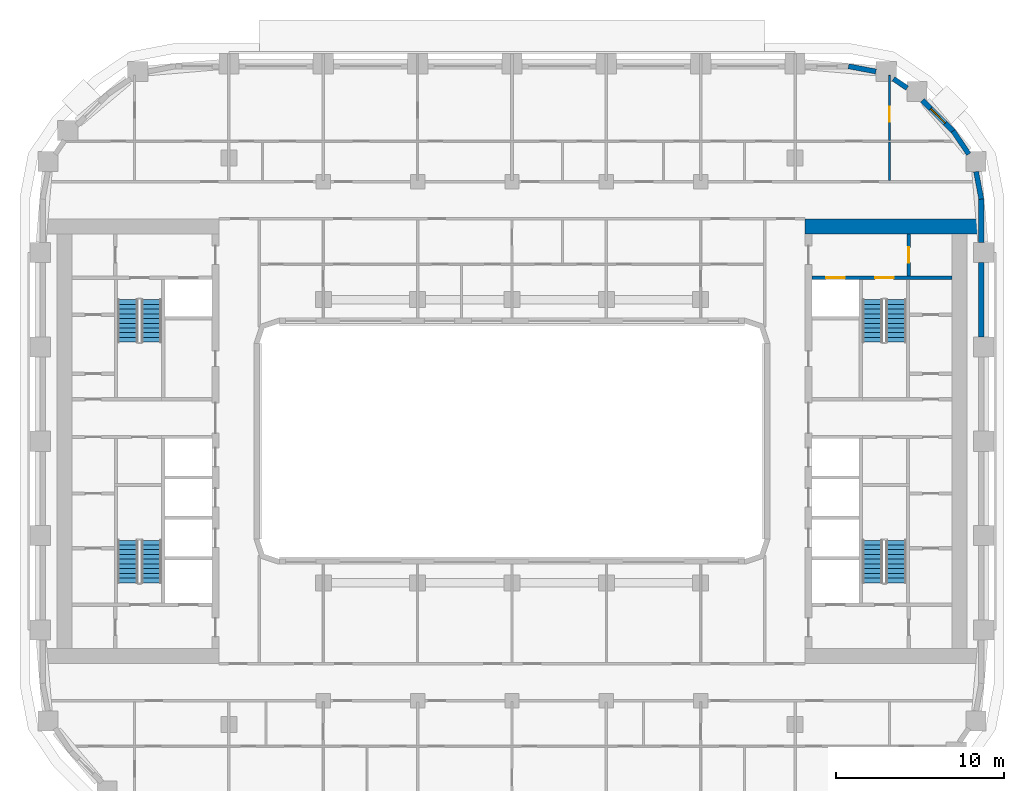
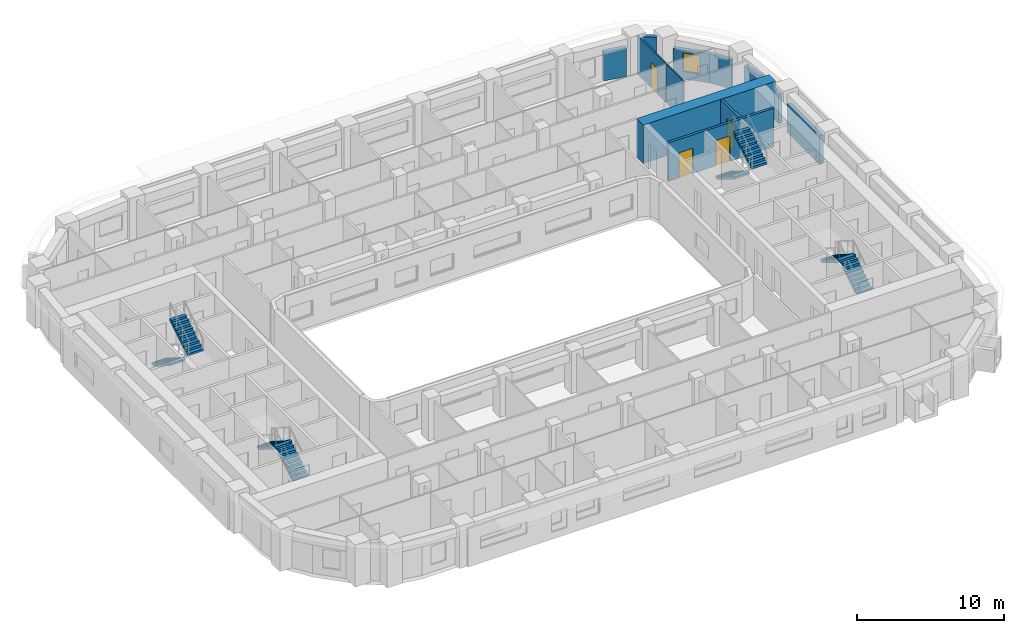
# One storey, part 10 of 22: 12 walls, 8 stair flights, 4 doors, 1 window, 5 openings, 4 elements without a shape of their own.
"""IFC4 building model written with IfcOpenShell, lengths in metres."""

from ifc_helpers import new_model, si_unit, direction, frame, frame_2d, origin, place, context, subcontext, project, spatial, polyline, rectangle, outline, extrude, material, layer, layer_set, type_object, element, fill, aggregate, save


model = new_model("IFC4")

# Units and contexts
model_context = context("Model", 3, precision=1e-05, world=origin(), true_north=direction((0.0, 1.0)))
body_context = subcontext(model_context, "Body", "Model", "MODEL_VIEW")
ifc_project = project(units=[si_unit("LENGTHUNIT", "METRE"), si_unit("AREAUNIT", "SQUARE_METRE"), si_unit("VOLUMEUNIT", "CUBIC_METRE"), si_unit("PLANEANGLEUNIT", "RADIAN"), si_unit("MASSUNIT", "GRAM", prefix="KILO")], contexts=[model_context])

# Site, building, storey
site_placement = place(None, origin())
site = spatial("IfcSite", under=ifc_project, at=site_placement, CompositionType="ELEMENT")
building_placement = place(site_placement, origin())
building = spatial("IfcBuilding", under=site, at=building_placement, Name="Kiln Ring Residences", CompositionType="ELEMENT")
storey_placement = place(building_placement, frame((0.0, 0.0, 111.300048828125)))
storey = spatial("IfcBuildingStorey", under=building, at=storey_placement, Name="L28", CompositionType="ELEMENT", Elevation=111.300048828125)

# Wall, opening, door
ifc_material_1 = material(Name="Gypsum board on steel studs", Category="steel")
ifc_layer_1 = layer(ifc_material_1, 0.199951171875)
ifc_layer_set_1 = layer_set([ifc_layer_1], Name="CORE-PARTITION-200")
wall_type_1 = type_object("IfcWallType", Name="CORE-PARTITION-200", PredefinedType="PARTITIONING", material=ifc_layer_set_1)
wall_1_placement = place(storey_placement, frame((23.550048828125, 9.800048828125, 0.0), z_axis=(0.0, 0.0, 1.0), x_axis=(0.0, 1.0, 0.0)))
wall_1 = element("IfcWall", 1, at=wall_1_placement, inside=storey, type_object=wall_type_1, Name="Core partition east L28 3", PredefinedType="PARTITIONING", context=body_context, shape_type="SweptSolid", body=[
    extrude(rectangle(XDim=2.5, YDim=0.199951171875, at=frame_2d((1.25, 0.0))), origin(), (0.0, 0.0, 1.0), 3.199951171875),
])
opening_1_placement = place(wall_1_placement, frame((0.800048828125, 0.0, 0.0)))
opening_1 = element("IfcOpeningElement", 2, at=opening_1_placement, cuts=wall_1, Name="Opening L28-CE09", PredefinedType="OPENING", context=body_context, shape_type="SweptSolid", body=[
    extrude(rectangle(XDim=0.89990234375, YDim=2.10009765625, at=frame_2d((0.449951171875, 1.050048828125))), frame((0.0, 0.10986328125, 0.0), z_axis=(0.0, -1.0, 0.0), x_axis=(1.0, 0.0, 0.0)), (0.0, 0.0, 1.0), 0.219970703125),
])
ifc_material_2 = material(Name="Steel door leaf", Category="steel")
door_type_1 = type_object("IfcDoorType", Name="CORE-DOOR-ROOM", OperationType="SINGLE_SWING_LEFT", PredefinedType="DOOR", material=ifc_material_2)
door_1_placement = place(opening_1_placement, origin())
door_1 = element("IfcDoor", 3, at=door_1_placement, inside=storey, type_object=door_type_1, Name="Fire riser room L28-CE09", OperationType="SINGLE_SWING_RIGHT", OverallHeight=2.10009765625, OverallWidth=0.89990234375, PredefinedType="DOOR", context=body_context, shape_type="SweptSolid", body=[
    extrude(rectangle(XDim=0.89990234375, YDim=2.10009765625, at=frame_2d((0.449951171875, 1.050048828125))), frame((0.0, 0.02490234375, 0.0), z_axis=(0.0, -1.0, 0.0), x_axis=(1.0, 0.0, 0.0)), (0.0, 0.0, 1.0), 0.050048828125),
])
fill(opening_1, door_1)

# Wall, openings, doors
ifc_material_3 = material(Name="Concrete C40/50", Category="concrete")
ifc_layer_2 = layer(ifc_material_3, 0.199951171875)
ifc_layer_set_2 = layer_set([ifc_layer_2], Name="CORE-WALL-RC200")
wall_type_2 = type_object("IfcWallType", Name="CORE-WALL-RC200", PredefinedType="SHEAR", material=ifc_layer_set_2)
wall_2_placement = place(storey_placement, frame((17.800048828125, 9.699951171875, 0.0), z_axis=(0.0, 0.0, 1.0), x_axis=(1.0, 0.0, 0.0)))
wall_2 = element("IfcWall", 4, at=wall_2_placement, inside=storey, type_object=wall_type_2, Name="Core wall east L28 9", PredefinedType="SHEAR", context=body_context, shape_type="SweptSolid", body=[
    extrude(rectangle(XDim=8.300048828125, YDim=0.199951171875, at=frame_2d((4.14990234375, 0.0))), origin(), (0.0, 0.0, 1.0), 3.199951171875),
])
opening_2_placement = place(wall_2_placement, frame((0.85009765625, 0.0, 0.0)))
opening_2 = element("IfcOpeningElement", 5, at=opening_2_placement, cuts=wall_2, Name="Opening L28-CE06", PredefinedType="OPENING", context=body_context, shape_type="SweptSolid", body=[
    extrude(rectangle(XDim=1.10009765625, YDim=2.10009765625, at=frame_2d((0.550048828125, 1.050048828125))), frame((0.0, 0.10986328125, 0.0), z_axis=(0.0, -1.0, 0.0), x_axis=(1.0, 0.0, 0.0)), (0.0, 0.0, 1.0), 0.219970703125),
])
opening_3_placement = place(wall_2_placement, frame((3.75, 0.0, 0.0)))
opening_3 = element("IfcOpeningElement", 6, at=opening_3_placement, cuts=wall_2, Name="Opening L28-CE11", PredefinedType="OPENING", context=body_context, shape_type="SweptSolid", body=[
    extrude(rectangle(XDim=1.10009765625, YDim=2.10009765625, at=frame_2d((0.550048828125, 1.050048828125))), frame((0.0, 0.10986328125, 0.0), z_axis=(0.0, -1.0, 0.0), x_axis=(1.0, 0.0, 0.0)), (0.0, 0.0, 1.0), 0.219970703125),
])
ifc_material_4 = material(Name="Steel door leaf", Category="steel")
door_type_2 = type_object("IfcDoorType", Name="CORE-DOOR-LD", OperationType="DOUBLE_DOOR_SLIDING", PredefinedType="DOOR", material=ifc_material_4)
door_2_placement = place(opening_2_placement, origin())
door_2 = element("IfcDoor", 7, at=door_2_placement, inside=storey, type_object=door_type_2, Name="LD E-FF L28-CE06", OperationType="DOUBLE_DOOR_SLIDING", OverallHeight=2.10009765625, OverallWidth=1.10009765625, PredefinedType="DOOR", context=body_context, shape_type="SweptSolid", body=[
    extrude(rectangle(XDim=1.10009765625, YDim=2.10009765625, at=frame_2d((0.550048828125, 1.050048828125))), frame((0.0, 0.02490234375, 0.0), z_axis=(0.0, -1.0, 0.0), x_axis=(1.0, 0.0, 0.0)), (0.0, 0.0, 1.0), 0.050048828125),
])
fill(opening_2, door_2)
ifc_material_5 = material(Name="Steel door leaf", Category="steel")
door_type_3 = type_object("IfcDoorType", Name="CORE-DOOR-STAIR", OperationType="SINGLE_SWING_LEFT", PredefinedType="DOOR", material=ifc_material_5)
door_3_placement = place(opening_3_placement, origin())
door_3 = element("IfcDoor", 8, at=door_3_placement, inside=storey, type_object=door_type_3, Name="Stair E-STN L28-CE11", OperationType="SINGLE_SWING_RIGHT", OverallHeight=2.10009765625, OverallWidth=1.10009765625, PredefinedType="DOOR", context=body_context, shape_type="SweptSolid", body=[
    extrude(rectangle(XDim=1.10009765625, YDim=2.10009765625, at=frame_2d((0.550048828125, 1.050048828125))), frame((0.0, 0.02490234375, 0.0), z_axis=(0.0, -1.0, 0.0), x_axis=(1.0, 0.0, 0.0)), (0.0, 0.0, 1.0), 0.050048828125),
])
fill(opening_3, door_3)

# Walls
ifc_material_6 = material(Name="Concrete C60/75", Category="concrete")
ifc_layer_3 = layer(ifc_material_6, 0.89990234375)
ifc_layer_set_3 = layer_set([ifc_layer_3], Name="CORE-WALL-RC900")
wall_type_3 = type_object("IfcWallType", Name="CORE-WALL-RC900", PredefinedType="SHEAR", material=ifc_layer_set_3)
wall_3_placement = place(storey_placement, frame((17.39990234375, 12.75, 0.0), z_axis=(0.0, 0.0, 1.0), x_axis=(1.0, 0.0, 0.0)))
element("IfcWall", 9, at=wall_3_placement, inside=storey, type_object=wall_type_3, Name="Core wall east L28 4", PredefinedType="SHEAR", context=body_context, shape_type="SweptSolid", body=[
    extrude(rectangle(XDim=10.400146484375, YDim=0.89990234375, at=frame_2d((5.2001953125, 0.0))), origin(), (0.0, 0.0, 1.0), 3.199951171875),
])
ifc_material_7 = material(Name="Brick masonry, dark clay brick", Category="masonry")
ifc_layer_4 = layer(ifc_material_7, 0.300048828125)
ifc_layer_set_4 = layer_set([ifc_layer_4], Name="EW-300 BRICK WALL")
wall_type_4 = type_object("IfcWallType", Name="EW-300 BRICK WALL", PredefinedType="SOLIDWALL", material=ifc_layer_set_4)
wall_4_placement = place(storey_placement, frame((27.85009765625, 6.199951171875, 0.0), z_axis=(0.0, 0.0, 1.0), x_axis=(0.0, 1.0, 0.0)))
element("IfcWall", 10, at=wall_4_placement, inside=storey, type_object=wall_type_4, Name="Facade wall L28 21", PredefinedType="SOLIDWALL", context=body_context, shape_type="SweptSolid", body=[
    extrude(rectangle(XDim=4.400146484375, YDim=0.300048828125, at=frame_2d((2.2001953125, 0.0))), origin(), (0.0, 0.0, 1.0), 2.39990234375),
])
wall_5_placement = place(storey_placement, frame((27.85009765625, 11.800048828125, 0.0), z_axis=(0.0, 0.0, 1.0), x_axis=(0.0, 1.0, 0.0)))
element("IfcWall", 11, at=wall_5_placement, inside=storey, type_object=wall_type_4, Name="Facade wall L28 22", PredefinedType="SOLIDWALL", context=body_context, shape_type="SweptSolid", body=[
    extrude(rectangle(XDim=2.599853515625, YDim=0.300048828125, at=frame_2d((1.2998046875, 0.0))), origin(), (0.0, 0.0, 1.0), 2.39990234375),
])
for number, where, z_axis, x_axis, name in (
    (12, (27.8525390625, 14.371826171875, 0.0), (0.0, 0.0, 1.0), (-0.187349172861, 0.982293381546, 0.0), "Facade wall L28 23"),
    (13, (27.10986328125, 17.04296875, 0.0), (0.0, 0.0, 1.0), (-0.562060017944, 0.82709644917, 0.0), "Facade wall L28 24"),
):
    element("IfcWall", number, at=place(storey_placement, frame(where, z_axis=z_axis, x_axis=x_axis)), inside=storey, type_object=wall_type_4, Name=name, PredefinedType="SOLIDWALL", context=body_context, shape_type="SweptSolid", body=[
        extrude(rectangle(XDim=1.65625, YDim=0.300048828125, at=frame_2d((0.828125, 0.0))), origin(), (0.0, 0.0, 1.0), 2.39990234375),
    ])

# Wall, opening, window
wall_6_placement = place(storey_placement, frame((26.19677734375, 18.390869140625, 0.0), z_axis=(0.0, 0.0, 1.0), x_axis=(-0.707059830104, 0.707153729152, 0.0)))
wall_6 = element("IfcWall", 14, at=wall_6_placement, inside=storey, type_object=wall_type_4, Name="Facade wall L28 25", PredefinedType="SOLIDWALL", context=body_context, shape_type="SweptSolid", body=[
    extrude(rectangle(XDim=2.60009765625, YDim=0.300048828125, at=frame_2d((1.300048828125, 0.0))), origin(), (0.0, 0.0, 1.0), 2.39990234375),
])
opening_4_placement = place(wall_6_placement, frame((0.699951171875, 0.0, 0.60009765625)))
opening_4 = element("IfcOpeningElement", 15, at=opening_4_placement, cuts=wall_6, Name="Opening W1", PredefinedType="OPENING", context=body_context, shape_type="SweptSolid", body=[
    extrude(rectangle(XDim=1.199951171875, YDim=1.550048828125, at=frame_2d((0.60009765625, 0.77490234375))), frame((0.0, 0.159912109375, 0.0), z_axis=(0.0, -1.0, 0.0), x_axis=(1.0, 0.0, 0.0)), (0.0, 0.0, 1.0), 0.320068359375),
])
ifc_material_8 = material(Name="Aluminium frame with double glazing", Category="aluminium")
window_type = type_object("IfcWindowType", Name="WINDOW 1200 x 1550", PartitioningType="SINGLE_PANEL", PredefinedType="WINDOW", material=ifc_material_8)
window_placement = place(opening_4_placement, origin())
window = element("IfcWindow", 16, at=window_placement, inside=storey, type_object=window_type, Name="Window L28 13", OverallHeight=1.550048828125, OverallWidth=1.199951171875, PartitioningType="SINGLE_PANEL", PredefinedType="WINDOW", context=body_context, shape_type="SweptSolid", body=[
    extrude(rectangle(XDim=1.199951171875, YDim=1.550048828125, at=frame_2d((0.60009765625, 0.77490234375))), frame((0.0, 0.030029296875, 0.0), z_axis=(0.0, -1.0, 0.0), x_axis=(1.0, 0.0, 0.0)), (0.0, 0.0, 1.0), 0.06005859375),
])
fill(opening_4, window)

# Walls
wall_7_placement = place(storey_placement, frame((23.451171875, 20.96044921875, 0.0), z_axis=(0.0, 0.0, 1.0), x_axis=(-0.827019434577, 0.562173331661, 0.0)))
element("IfcWall", 17, at=wall_7_placement, inside=storey, type_object=wall_type_4, Name="Facade wall L28 26", PredefinedType="SOLIDWALL", context=body_context, shape_type="SweptSolid", body=[
    extrude(rectangle(XDim=0.97705078125, YDim=0.300048828125, at=frame_2d((0.488525390625, 0.0))), origin(), (0.0, 0.0, 1.0), 3.199951171875),
])
wall_8_placement = place(storey_placement, frame((21.5986328125, 21.9423828125, 0.0), z_axis=(0.0, 0.0, 1.0), x_axis=(-0.98228820662, 0.187376303559, 0.0)))
element("IfcWall", 18, at=wall_8_placement, inside=storey, type_object=wall_type_4, Name="Facade wall L28 27", PredefinedType="SOLIDWALL", context=body_context, shape_type="SweptSolid", body=[
    extrude(rectangle(XDim=1.656005859375, YDim=0.300048828125, at=frame_2d((0.828125, 0.0))), origin(), (0.0, 0.0, 1.0), 2.39990234375),
])
ifc_material_9 = material(Name="Gypsum board on steel studs", Category="steel")
ifc_layer_5 = layer(ifc_material_9, 0.10009765625)
ifc_layer_set_5 = layer_set([ifc_layer_5], Name="PARTITION-100")
wall_type_5 = type_object("IfcWallType", Name="PARTITION-100", PredefinedType="PARTITIONING", material=ifc_layer_set_5)
wall_9_placement = place(storey_placement, frame((22.39990234375, 15.47509765625, 0.0), z_axis=(0.0, 0.0, 1.0), x_axis=(0.0, 1.0, 0.0)))
element("IfcWall", 19, at=wall_9_placement, inside=storey, type_object=wall_type_5, Name="Partition 070", PredefinedType="PARTITIONING", context=body_context, shape_type="SweptSolid", body=[
    extrude(rectangle(XDim=2.27490234375, YDim=0.10009765625, at=frame_2d((1.137451171875, 0.0))), origin(), (0.0, 0.0, 1.0), 3.199951171875),
])

# Wall, opening, door
wall_10_placement = place(storey_placement, frame((22.39990234375, 17.85009765625, 0.0), z_axis=(0.0, 0.0, 1.0), x_axis=(0.0, 1.0, 0.0)))
wall_10 = element("IfcWall", 20, at=wall_10_placement, inside=storey, type_object=wall_type_5, Name="Partition 071", PredefinedType="PARTITIONING", context=body_context, shape_type="SweptSolid", body=[
    extrude(rectangle(XDim=3.869873046875, YDim=0.10009765625, at=frame_2d((1.93505859375, 0.0))), origin(), (0.0, 0.0, 1.0), 3.199951171875),
])
opening_5_placement = place(wall_10_placement, frame((1.10009765625, 0.0, 0.0)))
opening_5 = element("IfcOpeningElement", 21, at=opening_5_placement, cuts=wall_10, Name="Opening L28-D042", PredefinedType="OPENING", context=body_context, shape_type="SweptSolid", body=[
    extrude(rectangle(XDim=0.89990234375, YDim=2.10009765625, at=frame_2d((0.449951171875, 1.050048828125))), frame((0.0, 0.06005859375, 0.0), z_axis=(0.0, -1.0, 0.0), x_axis=(1.0, 0.0, 0.0)), (0.0, 0.0, 1.0), 0.1201171875),
])
ifc_material_10 = material(Name="Timber door leaf", Category="wood")
door_type_4 = type_object("IfcDoorType", Name="FLAT-DOOR-900-PL", OperationType="SINGLE_SWING_LEFT", PredefinedType="DOOR", material=ifc_material_10)
door_4_placement = place(opening_5_placement, origin())
door_4 = element("IfcDoor", 22, at=door_4_placement, inside=storey, type_object=door_type_4, Name="Door L28-D042", OperationType="SINGLE_SWING_LEFT", OverallHeight=2.10009765625, OverallWidth=0.89990234375, PredefinedType="DOOR", context=body_context, shape_type="SweptSolid", body=[
    extrude(rectangle(XDim=0.89990234375, YDim=2.10009765625, at=frame_2d((0.449951171875, 1.050048828125))), frame((0.0, 0.02490234375, 0.0), z_axis=(0.0, -1.0, 0.0), x_axis=(1.0, 0.0, 0.0)), (0.0, 0.0, 1.0), 0.050048828125),
])
fill(opening_5, door_4)

# Stair, stair flights
ifc_material_11 = material(Name="Concrete C40/50", Category="concrete")
stair_type = type_object("IfcStairType", Name="CORE-STAIR", PredefinedType="HALF_TURN_STAIR", material=ifc_material_11)
placement = place(storey_placement, origin())
stair_1 = element("IfcStair", 23, at=placement, inside=storey, type_object=stair_type, Name="L28 stair W-STN", PredefinedType="HALF_TURN_STAIR")
ifc_material_12 = material(Name="Concrete C40/50", Category="concrete")
stair_flight_type = type_object("IfcStairFlightType", Name="CORE-STAIR-FLIGHT", PredefinedType="STRAIGHT", material=ifc_material_12)
stair_flight_1_placement = place(storey_placement, frame((-22.800048828125, 8.39990234375, 0.0), z_axis=(0.0, 0.0, 1.0), x_axis=(0.0, -1.0, 0.0)))
stair_flight_1 = element("IfcStairFlight", 24, at=stair_flight_1_placement, type_object=stair_flight_type, Name="W-STN flight 1", NumberOfRisers=10, NumberOfTreads=9, PredefinedType="STRAIGHT", RiserHeight=0.175, TreadLength=0.28, context=body_context, shape_type="SweptSolid", body=[
    extrude(outline(polyline([(0.0, 0.0), (0.0, 0.175048828125), (0.280029296875, 0.175048828125), (0.280029296875, 0.35009765625), (0.56005859375, 0.35009765625), (0.56005859375, 0.52490234375), (0.840087890625, 0.52490234375), (0.840087890625, 0.699951171875), (1.1201171875, 0.699951171875), (1.1201171875, 0.875), (1.39990234375, 0.875), (1.39990234375, 1.050048828125), (1.679931640625, 1.050048828125), (1.679931640625, 1.22509765625), (1.9599609375, 1.22509765625), (1.9599609375, 1.39990234375), (2.239990234375, 1.39990234375), (2.239990234375, 1.574951171875), (2.52001953125, 1.574951171875), (2.52001953125, 1.75), (2.52001953125, 1.398193359375), (0.28271484375, 0.0), (0.0, 0.0)])), frame((0.0, 0.60009765625, 0.0), z_axis=(0.0, -1.0, 0.0), x_axis=(1.0, 0.0, 0.0)), (0.0, 0.0, 1.0), 1.199951171875),
])
stair_flight_2_placement = place(storey_placement, frame((-21.39990234375, 5.8798828125, 1.75), z_axis=(0.0, 0.0, 1.0), x_axis=(0.0, 1.0, 0.0)))
stair_flight_2 = element("IfcStairFlight", 25, at=stair_flight_2_placement, type_object=stair_flight_type, Name="W-STN flight 2", NumberOfRisers=10, NumberOfTreads=9, PredefinedType="STRAIGHT", RiserHeight=0.175, TreadLength=0.28, context=body_context, shape_type="SweptSolid", body=[
    extrude(outline(polyline([(0.0, 0.0), (0.0, 0.175048828125), (0.280029296875, 0.175048828125), (0.280029296875, 0.35009765625), (0.56005859375, 0.35009765625), (0.56005859375, 0.52490234375), (0.840087890625, 0.52490234375), (0.840087890625, 0.699951171875), (1.1201171875, 0.699951171875), (1.1201171875, 0.875), (1.39990234375, 0.875), (1.39990234375, 1.050048828125), (1.679931640625, 1.050048828125), (1.679931640625, 1.22509765625), (1.9599609375, 1.22509765625), (1.9599609375, 1.39990234375), (2.239990234375, 1.39990234375), (2.239990234375, 1.574951171875), (2.52001953125, 1.574951171875), (2.52001953125, 1.75), (2.52001953125, 1.398193359375), (0.28271484375, 0.0), (0.0, 0.0)])), frame((0.0, 0.60009765625, 0.0), z_axis=(0.0, -1.0, 0.0), x_axis=(1.0, 0.0, 0.0)), (0.0, 0.0, 1.0), 1.199951171875),
])
aggregate(stair_1, [stair_flight_1, stair_flight_2])

stair_2 = element("IfcStair", 26, at=placement, inside=storey, type_object=stair_type, Name="L28 stair W-STS", PredefinedType="HALF_TURN_STAIR")
stair_flight_3_placement = place(storey_placement, frame((-21.39990234375, -8.39990234375, 0.0), z_axis=(0.0, 0.0, 1.0), x_axis=(0.0, 1.0, 0.0)))
stair_flight_3 = element("IfcStairFlight", 27, at=stair_flight_3_placement, type_object=stair_flight_type, Name="W-STS flight 1", NumberOfRisers=10, NumberOfTreads=9, PredefinedType="STRAIGHT", RiserHeight=0.175, TreadLength=0.28, context=body_context, shape_type="SweptSolid", body=[
    extrude(outline(polyline([(0.0, 0.0), (0.0, 0.175048828125), (0.280029296875, 0.175048828125), (0.280029296875, 0.35009765625), (0.56005859375, 0.35009765625), (0.56005859375, 0.52490234375), (0.840087890625, 0.52490234375), (0.840087890625, 0.699951171875), (1.1201171875, 0.699951171875), (1.1201171875, 0.875), (1.39990234375, 0.875), (1.39990234375, 1.050048828125), (1.679931640625, 1.050048828125), (1.679931640625, 1.22509765625), (1.9599609375, 1.22509765625), (1.9599609375, 1.39990234375), (2.239990234375, 1.39990234375), (2.239990234375, 1.574951171875), (2.52001953125, 1.574951171875), (2.52001953125, 1.75), (2.52001953125, 1.398193359375), (0.28271484375, 0.0), (0.0, 0.0)])), frame((0.0, 0.60009765625, 0.0), z_axis=(0.0, -1.0, 0.0), x_axis=(1.0, 0.0, 0.0)), (0.0, 0.0, 1.0), 1.199951171875),
])
stair_flight_4_placement = place(storey_placement, frame((-22.800048828125, -5.8798828125, 1.75), z_axis=(0.0, 0.0, 1.0), x_axis=(0.0, -1.0, 0.0)))
stair_flight_4 = element("IfcStairFlight", 28, at=stair_flight_4_placement, type_object=stair_flight_type, Name="W-STS flight 2", NumberOfRisers=10, NumberOfTreads=9, PredefinedType="STRAIGHT", RiserHeight=0.175, TreadLength=0.28, context=body_context, shape_type="SweptSolid", body=[
    extrude(outline(polyline([(0.0, 0.0), (0.0, 0.175048828125), (0.280029296875, 0.175048828125), (0.280029296875, 0.35009765625), (0.56005859375, 0.35009765625), (0.56005859375, 0.52490234375), (0.840087890625, 0.52490234375), (0.840087890625, 0.699951171875), (1.1201171875, 0.699951171875), (1.1201171875, 0.875), (1.39990234375, 0.875), (1.39990234375, 1.050048828125), (1.679931640625, 1.050048828125), (1.679931640625, 1.22509765625), (1.9599609375, 1.22509765625), (1.9599609375, 1.39990234375), (2.239990234375, 1.39990234375), (2.239990234375, 1.574951171875), (2.52001953125, 1.574951171875), (2.52001953125, 1.75), (2.52001953125, 1.398193359375), (0.28271484375, 0.0), (0.0, 0.0)])), frame((0.0, 0.60009765625, 0.0), z_axis=(0.0, -1.0, 0.0), x_axis=(1.0, 0.0, 0.0)), (0.0, 0.0, 1.0), 1.199951171875),
])
aggregate(stair_2, [stair_flight_3, stair_flight_4])

stair_3 = element("IfcStair", 29, at=placement, inside=storey, type_object=stair_type, Name="L28 stair E-STN", PredefinedType="HALF_TURN_STAIR")
stair_flight_5_placement = place(storey_placement, frame((21.39990234375, 8.39990234375, 0.0), z_axis=(0.0, 0.0, 1.0), x_axis=(0.0, -1.0, 0.0)))
stair_flight_5 = element("IfcStairFlight", 30, at=stair_flight_5_placement, type_object=stair_flight_type, Name="E-STN flight 1", NumberOfRisers=10, NumberOfTreads=9, PredefinedType="STRAIGHT", RiserHeight=0.175, TreadLength=0.28, context=body_context, shape_type="SweptSolid", body=[
    extrude(outline(polyline([(0.0, 0.0), (0.0, 0.175048828125), (0.280029296875, 0.175048828125), (0.280029296875, 0.35009765625), (0.56005859375, 0.35009765625), (0.56005859375, 0.52490234375), (0.840087890625, 0.52490234375), (0.840087890625, 0.699951171875), (1.1201171875, 0.699951171875), (1.1201171875, 0.875), (1.39990234375, 0.875), (1.39990234375, 1.050048828125), (1.679931640625, 1.050048828125), (1.679931640625, 1.22509765625), (1.9599609375, 1.22509765625), (1.9599609375, 1.39990234375), (2.239990234375, 1.39990234375), (2.239990234375, 1.574951171875), (2.52001953125, 1.574951171875), (2.52001953125, 1.75), (2.52001953125, 1.398193359375), (0.28271484375, 0.0), (0.0, 0.0)])), frame((0.0, 0.60009765625, 0.0), z_axis=(0.0, -1.0, 0.0), x_axis=(1.0, 0.0, 0.0)), (0.0, 0.0, 1.0), 1.199951171875),
])
stair_flight_6_placement = place(storey_placement, frame((22.800048828125, 5.8798828125, 1.75), z_axis=(0.0, 0.0, 1.0), x_axis=(0.0, 1.0, 0.0)))
stair_flight_6 = element("IfcStairFlight", 31, at=stair_flight_6_placement, type_object=stair_flight_type, Name="E-STN flight 2", NumberOfRisers=10, NumberOfTreads=9, PredefinedType="STRAIGHT", RiserHeight=0.175, TreadLength=0.28, context=body_context, shape_type="SweptSolid", body=[
    extrude(outline(polyline([(0.0, 0.0), (0.0, 0.175048828125), (0.280029296875, 0.175048828125), (0.280029296875, 0.35009765625), (0.56005859375, 0.35009765625), (0.56005859375, 0.52490234375), (0.840087890625, 0.52490234375), (0.840087890625, 0.699951171875), (1.1201171875, 0.699951171875), (1.1201171875, 0.875), (1.39990234375, 0.875), (1.39990234375, 1.050048828125), (1.679931640625, 1.050048828125), (1.679931640625, 1.22509765625), (1.9599609375, 1.22509765625), (1.9599609375, 1.39990234375), (2.239990234375, 1.39990234375), (2.239990234375, 1.574951171875), (2.52001953125, 1.574951171875), (2.52001953125, 1.75), (2.52001953125, 1.398193359375), (0.28271484375, 0.0), (0.0, 0.0)])), frame((0.0, 0.60009765625, 0.0), z_axis=(0.0, -1.0, 0.0), x_axis=(1.0, 0.0, 0.0)), (0.0, 0.0, 1.0), 1.199951171875),
])
aggregate(stair_3, [stair_flight_5, stair_flight_6])

stair_4 = element("IfcStair", 32, at=placement, inside=storey, type_object=stair_type, Name="L28 stair E-STS", PredefinedType="HALF_TURN_STAIR")
stair_flight_7_placement = place(storey_placement, frame((22.800048828125, -8.39990234375, 0.0), z_axis=(0.0, 0.0, 1.0), x_axis=(0.0, 1.0, 0.0)))
stair_flight_7 = element("IfcStairFlight", 33, at=stair_flight_7_placement, type_object=stair_flight_type, Name="E-STS flight 1", NumberOfRisers=10, NumberOfTreads=9, PredefinedType="STRAIGHT", RiserHeight=0.175, TreadLength=0.28, context=body_context, shape_type="SweptSolid", body=[
    extrude(outline(polyline([(0.0, 0.0), (0.0, 0.175048828125), (0.280029296875, 0.175048828125), (0.280029296875, 0.35009765625), (0.56005859375, 0.35009765625), (0.56005859375, 0.52490234375), (0.840087890625, 0.52490234375), (0.840087890625, 0.699951171875), (1.1201171875, 0.699951171875), (1.1201171875, 0.875), (1.39990234375, 0.875), (1.39990234375, 1.050048828125), (1.679931640625, 1.050048828125), (1.679931640625, 1.22509765625), (1.9599609375, 1.22509765625), (1.9599609375, 1.39990234375), (2.239990234375, 1.39990234375), (2.239990234375, 1.574951171875), (2.52001953125, 1.574951171875), (2.52001953125, 1.75), (2.52001953125, 1.398193359375), (0.28271484375, 0.0), (0.0, 0.0)])), frame((0.0, 0.60009765625, 0.0), z_axis=(0.0, -1.0, 0.0), x_axis=(1.0, 0.0, 0.0)), (0.0, 0.0, 1.0), 1.199951171875),
])
stair_flight_8_placement = place(storey_placement, frame((21.39990234375, -5.8798828125, 1.75), z_axis=(0.0, 0.0, 1.0), x_axis=(0.0, -1.0, 0.0)))
stair_flight_8 = element("IfcStairFlight", 34, at=stair_flight_8_placement, type_object=stair_flight_type, Name="E-STS flight 2", NumberOfRisers=10, NumberOfTreads=9, PredefinedType="STRAIGHT", RiserHeight=0.175, TreadLength=0.28, context=body_context, shape_type="SweptSolid", body=[
    extrude(outline(polyline([(0.0, 0.0), (0.0, 0.175048828125), (0.280029296875, 0.175048828125), (0.280029296875, 0.35009765625), (0.56005859375, 0.35009765625), (0.56005859375, 0.52490234375), (0.840087890625, 0.52490234375), (0.840087890625, 0.699951171875), (1.1201171875, 0.699951171875), (1.1201171875, 0.875), (1.39990234375, 0.875), (1.39990234375, 1.050048828125), (1.679931640625, 1.050048828125), (1.679931640625, 1.22509765625), (1.9599609375, 1.22509765625), (1.9599609375, 1.39990234375), (2.239990234375, 1.39990234375), (2.239990234375, 1.574951171875), (2.52001953125, 1.574951171875), (2.52001953125, 1.75), (2.52001953125, 1.398193359375), (0.28271484375, 0.0), (0.0, 0.0)])), frame((0.0, 0.60009765625, 0.0), z_axis=(0.0, -1.0, 0.0), x_axis=(1.0, 0.0, 0.0)), (0.0, 0.0, 1.0), 1.199951171875),
])
aggregate(stair_4, [stair_flight_7, stair_flight_8])

save(model, "model.ifc")
